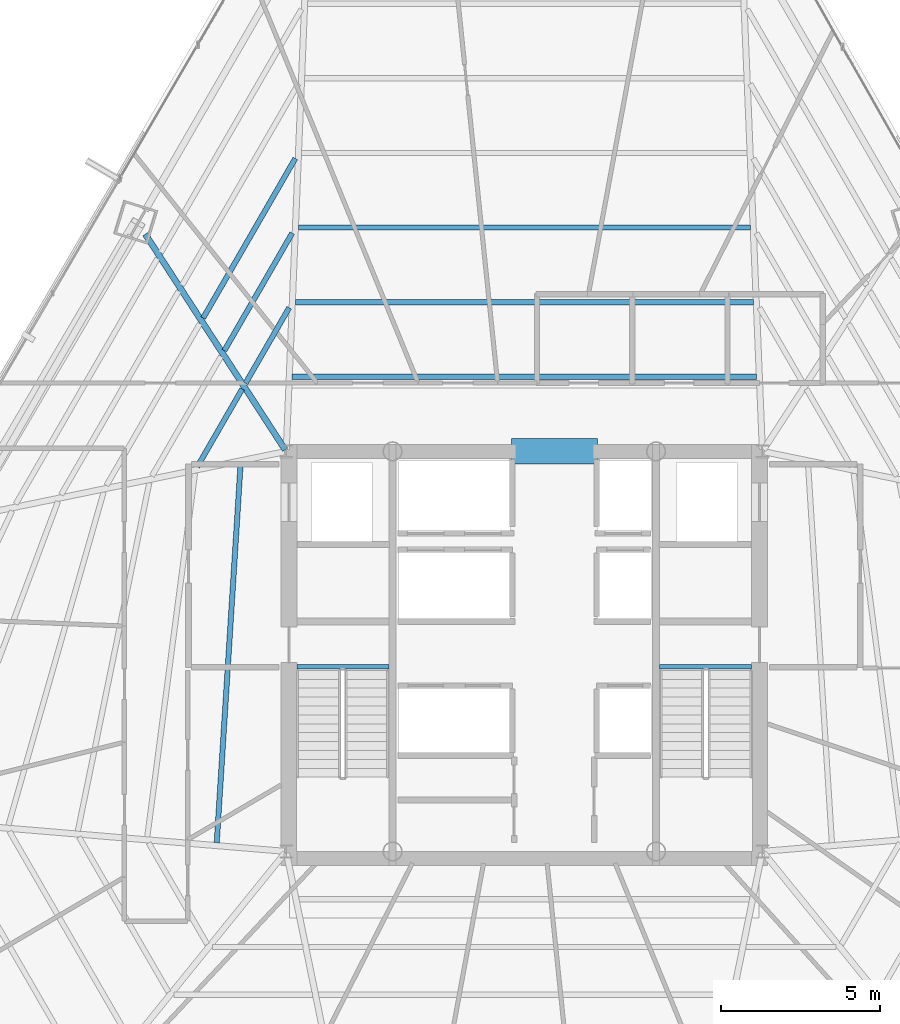
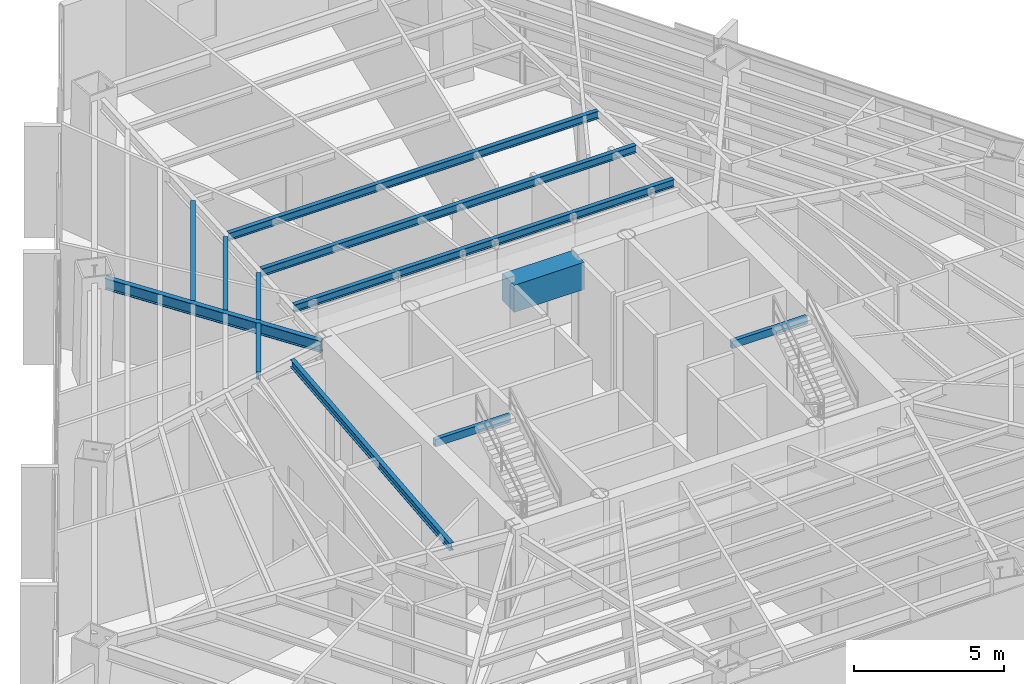
# One storey, part 14 of 37: 12 beams.
"""IFC4 building model written with IfcOpenShell, lengths in metres."""

from ifc_helpers import new_model, si_unit, direction, frame, origin, origin_2d, place, context, subcontext, project, spatial, rectangle, hollow_rectangle, i_section, extrude, source, transform, mapped, material, material_profile, profile_set, type_object, type_shapes, element, save


model = new_model("IFC4")

# Units and contexts
model_context = context("Model", 3, precision=1e-05, world=origin(), true_north=direction((0.0, 1.0)))
body_context = subcontext(model_context, "Body", "Model", "MODEL_VIEW")
ifc_project = project(units=[si_unit("LENGTHUNIT", "METRE"), si_unit("AREAUNIT", "SQUARE_METRE"), si_unit("VOLUMEUNIT", "CUBIC_METRE"), si_unit("PLANEANGLEUNIT", "RADIAN"), si_unit("MASSUNIT", "GRAM", prefix="KILO")], contexts=[model_context])

# Site, building, storey
site_placement = place(None, origin())
site = spatial("IfcSite", under=ifc_project, at=site_placement, CompositionType="ELEMENT")
building_placement = place(site_placement, origin())
building = spatial("IfcBuilding", under=site, at=building_placement, Name="Caelisora Broadcast Tower", CompositionType="ELEMENT")
storey_placement = place(building_placement, frame((0.0, 0.0, 127.300048828125)))
storey = spatial("IfcBuildingStorey", under=building, at=storey_placement, Name="L33", CompositionType="ELEMENT", Elevation=127.300048828125)

# Beams
ifc_material_1 = material(Name="Steel Grade 350 (AS/NZS 1163 C350L0)", Category="steel")
ifc_material_profile_1 = material_profile(ifc_material_1, hollow_rectangle(XDim=0.14990234375, YDim=0.300048828125, WallThickness=0.010009765625, at=origin_2d()), Name="Steel Grade 350 (AS/NZS 1163 C350L0)")
ifc_profile_set_1 = profile_set([ifc_material_profile_1], Name="Steel Grade 350 (AS/NZS 1163 C350L0)")
beam_type_1 = type_object("IfcBeamType", Name="SB05", PredefinedType="JOIST", material=ifc_profile_set_1)
shared_shape_1 = source(origin(), body_context, "Body", "SweptSolid", [
    extrude(hollow_rectangle(XDim=0.14990234375, YDim=0.300048828125, WallThickness=0.010009765625, at=origin_2d()), origin(), (0.0, 0.0, 1.0), 2.89990234375),
])
type_shapes(beam_type_1, [shared_shape_1])
for number, where, z_axis, x_axis, name in (
    (1, (30.840087890625, 23.219970703125, 4.099853515625), (1.0, 0.0, 0.0), (0.0, 1.0, 0.0), "L33 beam SB05"),
    (2, (42.260009765625, 23.219970703125, 4.099853515625), (1.0, 0.0, 0.0), (0.0, 1.0, 0.0), "L33 beam SB05"),
):
    element("IfcBeam", number, at=place(storey_placement, frame(where, z_axis=z_axis, x_axis=x_axis)), inside=storey, type_object=beam_type_1, Name=name, PredefinedType="JOIST", context=body_context, shape_type="MappedRepresentation", body=[
        mapped(shared_shape_1, transform((0.0, 0.0, 0.0), scale=1.0)),
    ])
ifc_material_2 = material(Name="Concrete 65 MPa (AS 3600 S65)", Category="concrete")
ifc_material_profile_2 = material_profile(ifc_material_2, rectangle(XDim=0.800048828125, YDim=1.10009765625, at=origin_2d()), Name="Concrete 65 MPa (AS 3600 S65)")
ifc_profile_set_2 = profile_set([ifc_material_profile_2], Name="Concrete 65 MPa (AS 3600 S65)")
beam_type_2 = type_object("IfcBeamType", Name="CB01", PredefinedType="LINTEL", material=ifc_profile_set_2)
shared_shape_2 = source(origin(), body_context, "Body", "SweptSolid", [
    extrude(rectangle(XDim=0.800048828125, YDim=1.10009765625, at=origin_2d()), origin(), (0.0, 0.0, 1.0), 2.699951171875),
])
type_shapes(beam_type_2, [shared_shape_2])
beam_1_placement = place(storey_placement, frame((37.60009765625, 30.0, 3.699951171875), z_axis=(1.0, 0.0, 0.0), x_axis=(0.0, 1.0, 0.0)))
element("IfcBeam", 3, at=beam_1_placement, inside=storey, type_object=beam_type_2, Name="L33 beam CB01", PredefinedType="LINTEL", context=body_context, shape_type="MappedRepresentation", body=[
    mapped(shared_shape_2, transform((0.0, 0.0, 0.0), scale=1.0)),
])
ifc_material_3 = material(Name="Steel Grade 350 (AS/NZS 3679.1)", Category="steel")
ifc_material_profile_3 = material_profile(ifc_material_3, i_section(OverallWidth=0.19091796875, OverallDepth=0.46044921875, WebThickness=0.010009765625, FlangeThickness=0.01611328125, at=origin_2d()), Name="Steel Grade 350 (AS/NZS 3679.1)")
ifc_profile_set_3 = profile_set([ifc_material_profile_3], Name="Steel Grade 350 (AS/NZS 3679.1)")
beam_type_3 = type_object("IfcBeamType", Name="PG06", PredefinedType="BEAM", material=ifc_profile_set_3)
shared_shape_3 = source(origin(), body_context, "Body", "SweptSolid", [
    extrude(i_section(OverallWidth=0.19091796875, OverallDepth=0.46044921875, WebThickness=0.010009765625, FlangeThickness=0.01611328125, at=origin_2d()), origin(), (0.0, 0.0, 1.0), 8.09814453125),
])
type_shapes(beam_type_3, [shared_shape_3])
beam_2_placement = place(storey_placement, frame((30.46728515625, 30.05029296875, 4.019775390625), z_axis=(-0.544129739424, 0.839001088601, 0.0), x_axis=(-0.839001088601, -0.544129739424, 0.0)))
element("IfcBeam", 4, at=beam_2_placement, inside=storey, type_object=beam_type_3, Name="L33 beam PG06", PredefinedType="BEAM", context=body_context, shape_type="MappedRepresentation", body=[
    mapped(shared_shape_3, transform((0.0, 0.0, 0.0), scale=1.0)),
])
ifc_material_profile_4 = material_profile(ifc_material_3, i_section(OverallWidth=0.166015625, OverallDepth=0.30712890625, WebThickness=0.006591796875, FlangeThickness=0.01171875, at=origin_2d()), Name="Steel Grade 350 (AS/NZS 3679.1)")
ifc_profile_set_4 = profile_set([ifc_material_profile_4], Name="Steel Grade 350 (AS/NZS 3679.1)")
beam_type_4 = type_object("IfcBeamType", Name="SB03", PredefinedType="JOIST", material=ifc_profile_set_4)
shared_shape_4 = source(origin(), body_context, "Body", "SweptSolid", [
    extrude(i_section(OverallWidth=0.166015625, OverallDepth=0.30712890625, WebThickness=0.006591796875, FlangeThickness=0.01171875, at=origin_2d()), origin(), (0.0, 0.0, 1.0), 14.62109375),
])
beam_3_placement = place(storey_placement, frame((45.310546875, 32.350830078125, 4.096435546875), z_axis=(-1.0, 0.0, 0.0), x_axis=(0.0, -1.0, 0.0)))
element("IfcBeam", 5, at=beam_3_placement, inside=storey, type_object=beam_type_4, Name="L33 beam SB03", PredefinedType="JOIST", context=body_context, shape_type="MappedRepresentation", body=[
    mapped(shared_shape_4, transform((0.0, 0.0, 0.0), scale=1.0)),
])
shared_shape_5 = source(origin(), body_context, "Body", "SweptSolid", [
    extrude(i_section(OverallWidth=0.166015625, OverallDepth=0.30712890625, WebThickness=0.006591796875, FlangeThickness=0.01171875, at=origin_2d()), origin(), (0.0, 0.0, 1.0), 14.427734375),
])
beam_4_placement = place(storey_placement, frame((45.2138671875, 34.701416015625, 4.096435546875), z_axis=(-1.0, 0.0, 0.0), x_axis=(0.0, -1.0, 0.0)))
element("IfcBeam", 6, at=beam_4_placement, inside=storey, type_object=beam_type_4, Name="L33 beam SB03", PredefinedType="JOIST", context=body_context, shape_type="MappedRepresentation", body=[
    mapped(shared_shape_5, transform((0.0, 0.0, 0.0), scale=1.0)),
])
shared_shape_6 = source(origin(), body_context, "Body", "SweptSolid", [
    extrude(i_section(OverallWidth=0.166015625, OverallDepth=0.30712890625, WebThickness=0.006591796875, FlangeThickness=0.01171875, at=origin_2d()), origin(), (0.0, 0.0, 1.0), 14.23388671875),
])
beam_5_placement = place(storey_placement, frame((45.116943359375, 37.05224609375, 4.096435546875), z_axis=(-1.0, 0.0, 0.0), x_axis=(0.0, -1.0, 0.0)))
element("IfcBeam", 7, at=beam_5_placement, inside=storey, type_object=beam_type_4, Name="L33 beam SB03", PredefinedType="JOIST", context=body_context, shape_type="MappedRepresentation", body=[
    mapped(shared_shape_6, transform((0.0, 0.0, 0.0), scale=1.0)),
])
shared_shape_7 = source(origin(), body_context, "Body", "SweptSolid", [
    extrude(i_section(OverallWidth=0.166015625, OverallDepth=0.30712890625, WebThickness=0.006591796875, FlangeThickness=0.01171875, at=origin_2d()), origin(), (0.0, 0.0, 1.0), 2.74755859375),
])
beam_6_placement = place(storey_placement, frame((30.59228515625, 34.52587890625, 4.096435546875), z_axis=(-0.500009615167, -0.866019852394, 0.0), x_axis=(0.866019852394, -0.500009615167, 0.0)))
element("IfcBeam", 8, at=beam_6_placement, inside=storey, type_object=beam_type_4, Name="L33 beam SB03", PredefinedType="JOIST", context=body_context, shape_type="MappedRepresentation", body=[
    mapped(shared_shape_7, transform((0.0, 0.0, 0.0), scale=1.0)),
])
shared_shape_8 = source(origin(), body_context, "Body", "SweptSolid", [
    extrude(i_section(OverallWidth=0.166015625, OverallDepth=0.30712890625, WebThickness=0.006591796875, FlangeThickness=0.01171875, at=origin_2d()), origin(), (0.0, 0.0, 1.0), 4.274658203125),
])
beam_7_placement = place(storey_placement, frame((30.68896484375, 36.876708984375, 4.096435546875), z_axis=(-0.499984487562, -0.86603435971, 0.0), x_axis=(0.86603435971, -0.499984487562, 0.0)))
element("IfcBeam", 9, at=beam_7_placement, inside=storey, type_object=beam_type_4, Name="L33 beam SB03", PredefinedType="JOIST", context=body_context, shape_type="MappedRepresentation", body=[
    mapped(shared_shape_8, transform((0.0, 0.0, 0.0), scale=1.0)),
])
shared_shape_9 = source(origin(), body_context, "Body", "SweptSolid", [
    extrude(i_section(OverallWidth=0.166015625, OverallDepth=0.30712890625, WebThickness=0.006591796875, FlangeThickness=0.01171875, at=origin_2d()), origin(), (0.0, 0.0, 1.0), 5.802001953125),
])
beam_8_placement = place(storey_placement, frame((30.785888671875, 39.2275390625, 4.096435546875), z_axis=(-0.500017486934, -0.866015307463, 0.0), x_axis=(0.866015307463, -0.500017486934, 0.0)))
element("IfcBeam", 10, at=beam_8_placement, inside=storey, type_object=beam_type_4, Name="L33 beam SB03", PredefinedType="JOIST", context=body_context, shape_type="MappedRepresentation", body=[
    mapped(shared_shape_9, transform((0.0, 0.0, 0.0), scale=1.0)),
])
shared_shape_10 = source(origin(), body_context, "Body", "SweptSolid", [
    extrude(i_section(OverallWidth=0.166015625, OverallDepth=0.30712890625, WebThickness=0.006591796875, FlangeThickness=0.01171875, at=origin_2d()), origin(), (0.0, 0.0, 1.0), 2.8251953125),
])
beam_9_placement = place(storey_placement, frame((29.1142578125, 31.966064453125, 4.096435546875), z_axis=(-0.49998675294, -0.866033051843, 0.0), x_axis=(0.866033051843, -0.49998675294, 0.0)))
element("IfcBeam", 11, at=beam_9_placement, inside=storey, type_object=beam_type_4, Name="L33 beam SB03", PredefinedType="JOIST", context=body_context, shape_type="MappedRepresentation", body=[
    mapped(shared_shape_10, transform((0.0, 0.0, 0.0), scale=1.0)),
])
shared_shape_11 = source(origin(), body_context, "Body", "SweptSolid", [
    extrude(i_section(OverallWidth=0.166015625, OverallDepth=0.30712890625, WebThickness=0.006591796875, FlangeThickness=0.01171875, at=origin_2d()), origin(), (0.0, 0.0, 1.0), 11.9580078125),
])
type_shapes(beam_type_4, [shared_shape_4, shared_shape_5, shared_shape_6, shared_shape_7, shared_shape_8, shared_shape_9, shared_shape_10, shared_shape_11])
beam_10_placement = place(storey_placement, frame((29.063720703125, 29.609619140625, 4.096435546875), z_axis=(-0.062882892021, -0.998020912552, 0.0), x_axis=(0.998020912552, -0.062882892021, 0.0)))
element("IfcBeam", 12, at=beam_10_placement, inside=storey, type_object=beam_type_4, Name="L33 beam SB03", PredefinedType="JOIST", context=body_context, shape_type="MappedRepresentation", body=[
    mapped(shared_shape_11, transform((0.0, 0.0, 0.0), scale=1.0)),
])

save(model, "model.ifc")
